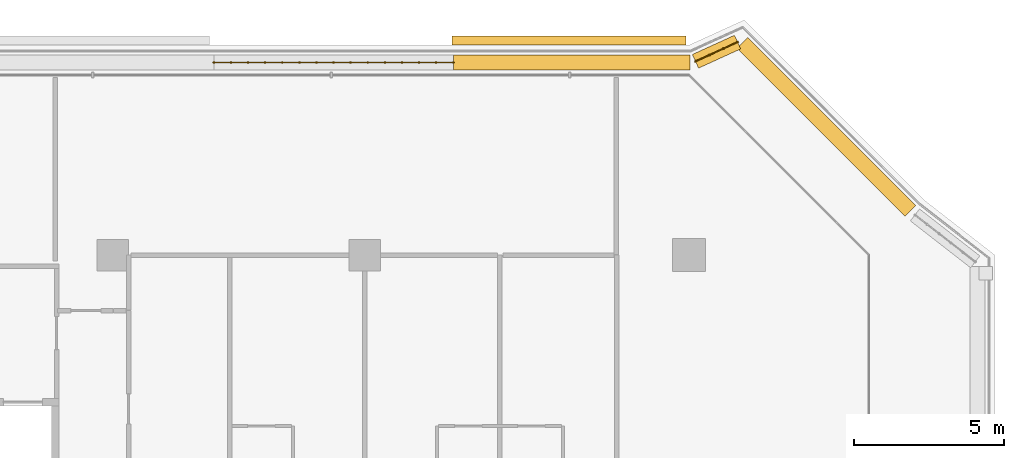
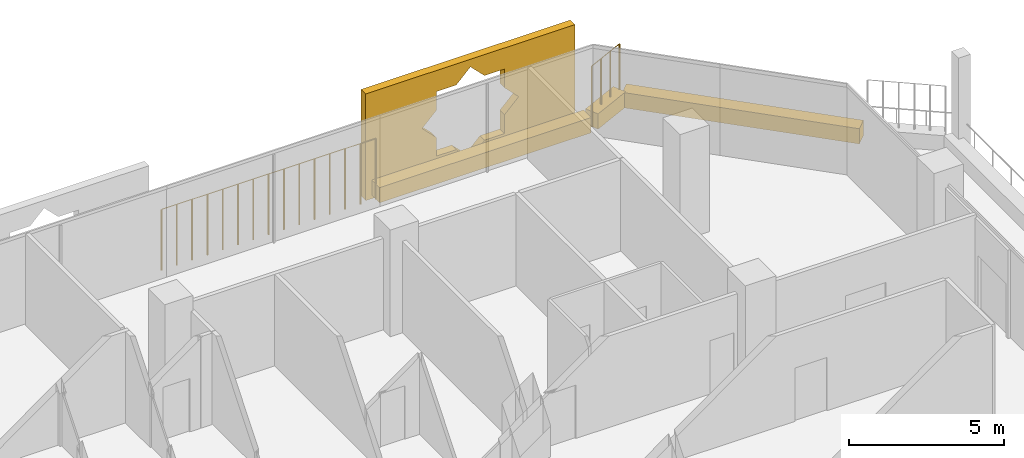
# One storey, part 25 of 25: 4 coverings, 2 railings.
"""IFC4 building model written with IfcOpenShell, lengths in metres."""

from ifc_helpers import new_model, si_unit, direction, frame, origin, origin_2d, place, context, subcontext, project, spatial, polyline, rectangle, circle, outline, extrude, material, material_profile, profile_set, type_object, element, save


model = new_model("IFC4")

# Units and contexts
model_context = context("Model", 3, precision=1e-05, world=origin(), true_north=direction((0.0, 1.0)))
body_context = subcontext(model_context, "Body", "Model", "MODEL_VIEW")
ifc_project = project(units=[si_unit("LENGTHUNIT", "METRE"), si_unit("AREAUNIT", "SQUARE_METRE"), si_unit("VOLUMEUNIT", "CUBIC_METRE"), si_unit("PLANEANGLEUNIT", "RADIAN"), si_unit("MASSUNIT", "GRAM", prefix="KILO")], contexts=[model_context])

# Site, building, storey
site_placement = place(None, origin())
site = spatial("IfcSite", under=ifc_project, at=site_placement, CompositionType="ELEMENT")
building_placement = place(site_placement, origin())
building = spatial("IfcBuilding", under=site, at=building_placement, Name="Kawkab Arch Medical Tower", CompositionType="ELEMENT")
storey_placement = place(building_placement, frame((0.0, 0.0, 145.0)))
storey = spatial("IfcBuildingStorey", under=building, at=storey_placement, Name="L33", CompositionType="ELEMENT", Elevation=145.0)

# Coverings
ifc_material_1 = material(Name="Bronze anodised aluminium mashrabiya panel, eight-point star pattern", Category="aluminium")
ifc_material_profile_1 = material_profile(ifc_material_1, outline(polyline([(-3.89990234375, -2.10009765625), (3.89990234375, -2.10009765625), (3.89990234375, 2.10009765625), (-3.89990234375, 2.10009765625), (-3.89990234375, -2.10009765625)]), holes=[polyline([(1.800048828125, 0.0), (1.272705078125, 0.527099609375), (1.272705078125, 1.272705078125), (0.527099609375, 1.272705078125), (0.0, 1.800048828125), (-0.527099609375, 1.272705078125), (-1.272705078125, 1.272705078125), (-1.272705078125, 0.527099609375), (-1.800048828125, 0.0), (-1.272705078125, -0.527099609375), (-1.272705078125, -1.272705078125), (-0.527099609375, -1.272705078125), (0.0, -1.800048828125), (0.527099609375, -1.272705078125), (1.272705078125, -1.272705078125), (1.272705078125, -0.527099609375), (1.800048828125, 0.0)])]), Name="Mashrabiya panel 7800x4200")
ifc_profile_set_1 = profile_set([ifc_material_profile_1], Name="Bronze anodised aluminium mashrabiya panel, eight-point star pattern")
covering_type_1 = type_object("IfcCoveringType", Name="Mashrabiya panel 7800 x 4200", PredefinedType="USERDEFINED", material=ifc_profile_set_1)
covering_1_placement = place(storey_placement, frame((65.60693359375, 7.0, 1.699951171875), z_axis=(0.0, 1.0, 0.0), x_axis=(-1.0, 0.0, 0.0)))
element("IfcCovering", 1, at=covering_1_placement, inside=storey, type_object=covering_type_1, Name="Mashrabiya panel L33.LOG-01-01.9", ObjectType="SCREEN", PredefinedType="USERDEFINED", context=body_context, shape_type="SweptSolid", body=[
    extrude(outline(polyline([(-3.89990234375, -2.10009765625), (3.89990234375, -2.10009765625), (3.89990234375, 2.10009765625), (-3.89990234375, 2.10009765625), (-3.89990234375, -2.10009765625)]), holes=[polyline([(1.800048828125, 0.0), (1.272705078125, 0.527099609375), (1.272705078125, 1.272705078125), (0.527099609375, 1.272705078125), (0.0, 1.800048828125), (-0.527099609375, 1.272705078125), (-1.272705078125, 1.272705078125), (-1.272705078125, 0.527099609375), (-1.800048828125, 0.0), (-1.272705078125, -0.527099609375), (-1.272705078125, -1.272705078125), (-0.527099609375, -1.272705078125), (0.0, -1.800048828125), (0.527099609375, -1.272705078125), (1.272705078125, -1.272705078125), (1.272705078125, -0.527099609375), (1.800048828125, 0.0)])]), origin(), (0.0, 0.0, 1.0), 0.300048828125),
])
ifc_material_2 = material(Name="Planting soil in a precast trough", Category="concrete")
ifc_material_profile_2 = material_profile(ifc_material_2, rectangle(XDim=0.5, YDim=0.60009765625, at=origin_2d()), Name="Trough 500x600")
ifc_profile_set_2 = profile_set([ifc_material_profile_2], Name="Planting soil in a precast trough")
covering_type_2 = type_object("IfcCoveringType", Name="Planter trough 500 x 600", PredefinedType="USERDEFINED", material=ifc_profile_set_2)
covering_2_placement = place(storey_placement, frame((61.743896484375, 6.419921875, 0.300048828125), z_axis=(1.0, 0.0, 0.0), x_axis=(0.0, 1.0, 0.0)))
element("IfcCovering", 2, at=covering_2_placement, inside=storey, type_object=covering_type_2, Name="Planter L33.LOG-01-01.24", ObjectType="PLANTER", PredefinedType="USERDEFINED", context=body_context, shape_type="SweptSolid", body=[
    extrude(rectangle(XDim=0.5, YDim=0.60009765625, at=origin_2d()), origin(), (0.0, 0.0, 1.0), 7.882080078125),
])
covering_3_placement = place(storey_placement, frame((69.81689453125, 6.4609375, 0.300048828125), z_axis=(0.909655525109, 0.415363486165, 0.0), x_axis=(-0.415363486165, 0.909655525109, 0.0)))
element("IfcCovering", 3, at=covering_3_placement, inside=storey, type_object=covering_type_2, Name="Planter L33.LOG-01-01.25", ObjectType="PLANTER", PredefinedType="USERDEFINED", context=body_context, shape_type="SweptSolid", body=[
    extrude(rectangle(XDim=0.5, YDim=0.60009765625, at=origin_2d()), origin(), (0.0, 0.0, 1.0), 1.54345703125),
])
covering_4_placement = place(storey_placement, frame((71.383056640625, 7.072998046875, 0.300048828125), z_axis=(0.707091367247, -0.70712219479, 0.0), x_axis=(0.70712219479, 0.707091367247, 0.0)))
element("IfcCovering", 4, at=covering_4_placement, inside=storey, type_object=covering_type_2, Name="Planter L33.LOG-01-01.26", ObjectType="PLANTER", PredefinedType="USERDEFINED", context=body_context, shape_type="SweptSolid", body=[
    extrude(rectangle(XDim=0.5, YDim=0.60009765625, at=origin_2d()), origin(), (0.0, 0.0, 1.0), 7.919677734375),
])

# Railings
ifc_material_3 = material(Name="Bronze anodised aluminium trellis for climbing plants", Category="aluminium")
railing_type = type_object("IfcRailingType", Name="Planting trellis 2400", PredefinedType="USERDEFINED", material=ifc_material_3)
railing_1_placement = place(storey_placement, frame((53.762939453125, 6.419921875, 0.0)))
element("IfcRailing", 5, at=railing_1_placement, inside=storey, type_object=railing_type, Name="Planting trellis L33.LOG-01-01.23", ObjectType="TRELLIS", PredefinedType="USERDEFINED", context=body_context, shape_type="SweptSolid", body=[
    extrude(circle(Radius=0.01513671875, at=origin_2d()), frame((0.0, 0.0, 2.384765625), z_axis=(1.0, 0.0, 0.0), x_axis=(0.0, 1.0, 0.0)), (0.0, 0.0, 1.0), 7.98095703125),
    extrude(circle(Radius=0.030029296875, at=origin_2d()), origin(), (0.0, 0.0, 1.0), 2.369873046875),
    extrude(circle(Radius=0.030029296875, at=origin_2d()), frame((0.570068359375, 0.0, 0.0)), (0.0, 0.0, 1.0), 2.369873046875),
    extrude(circle(Radius=0.030029296875, at=origin_2d()), frame((1.14013671875, 0.0, 0.0)), (0.0, 0.0, 1.0), 2.369873046875),
    extrude(circle(Radius=0.030029296875, at=origin_2d()), frame((1.710205078125, 0.0, 0.0)), (0.0, 0.0, 1.0), 2.369873046875),
    extrude(circle(Radius=0.030029296875, at=origin_2d()), frame((2.2802734375, 0.0, 0.0)), (0.0, 0.0, 1.0), 2.369873046875),
    extrude(circle(Radius=0.030029296875, at=origin_2d()), frame((2.850341796875, 0.0, 0.0)), (0.0, 0.0, 1.0), 2.369873046875),
    extrude(circle(Radius=0.030029296875, at=origin_2d()), frame((3.42041015625, 0.0, 0.0)), (0.0, 0.0, 1.0), 2.369873046875),
    extrude(circle(Radius=0.030029296875, at=origin_2d()), frame((3.990478515625, 0.0, 0.0)), (0.0, 0.0, 1.0), 2.369873046875),
    extrude(circle(Radius=0.030029296875, at=origin_2d()), frame((4.560546875, 0.0, 0.0)), (0.0, 0.0, 1.0), 2.369873046875),
    extrude(circle(Radius=0.030029296875, at=origin_2d()), frame((5.130615234375, 0.0, 0.0)), (0.0, 0.0, 1.0), 2.369873046875),
    extrude(circle(Radius=0.030029296875, at=origin_2d()), frame((5.70068359375, 0.0, 0.0)), (0.0, 0.0, 1.0), 2.369873046875),
    extrude(circle(Radius=0.030029296875, at=origin_2d()), frame((6.270751953125, 0.0, 0.0)), (0.0, 0.0, 1.0), 2.369873046875),
    extrude(circle(Radius=0.030029296875, at=origin_2d()), frame((6.8408203125, 0.0, 0.0)), (0.0, 0.0, 1.0), 2.369873046875),
    extrude(circle(Radius=0.030029296875, at=origin_2d()), frame((7.410888671875, 0.0, 0.0)), (0.0, 0.0, 1.0), 2.369873046875),
    extrude(circle(Radius=0.030029296875, at=origin_2d()), frame((7.98095703125, 0.0, 0.0)), (0.0, 0.0, 1.0), 2.369873046875),
])
railing_2_placement = place(storey_placement, frame((69.81689453125, 6.4609375, 0.0)))
element("IfcRailing", 6, at=railing_2_placement, inside=storey, type_object=railing_type, Name="Planting trellis L33.LOG-01-01.25", ObjectType="TRELLIS", PredefinedType="USERDEFINED", context=body_context, shape_type="SweptSolid", body=[
    extrude(circle(Radius=0.01513671875, at=origin_2d()), frame((0.0, 0.0, 2.384765625), z_axis=(0.909655525109, 0.415363486165, 0.0), x_axis=(-0.415363486165, 0.909655525109, 0.0)), (0.0, 0.0, 1.0), 1.54345703125),
    extrude(circle(Radius=0.030029296875, at=origin_2d()), origin(), (0.0, 0.0, 1.0), 2.369873046875),
    extrude(circle(Radius=0.030029296875, at=origin_2d()), frame((0.468017578125, 0.213623046875, 0.0)), (0.0, 0.0, 1.0), 2.369873046875),
    extrude(circle(Radius=0.030029296875, at=origin_2d()), frame((0.93603515625, 0.427490234375, 0.0)), (0.0, 0.0, 1.0), 2.369873046875),
    extrude(circle(Radius=0.030029296875, at=origin_2d()), frame((1.404052734375, 0.64111328125, 0.0)), (0.0, 0.0, 1.0), 2.369873046875),
])

save(model, "model.ifc")
